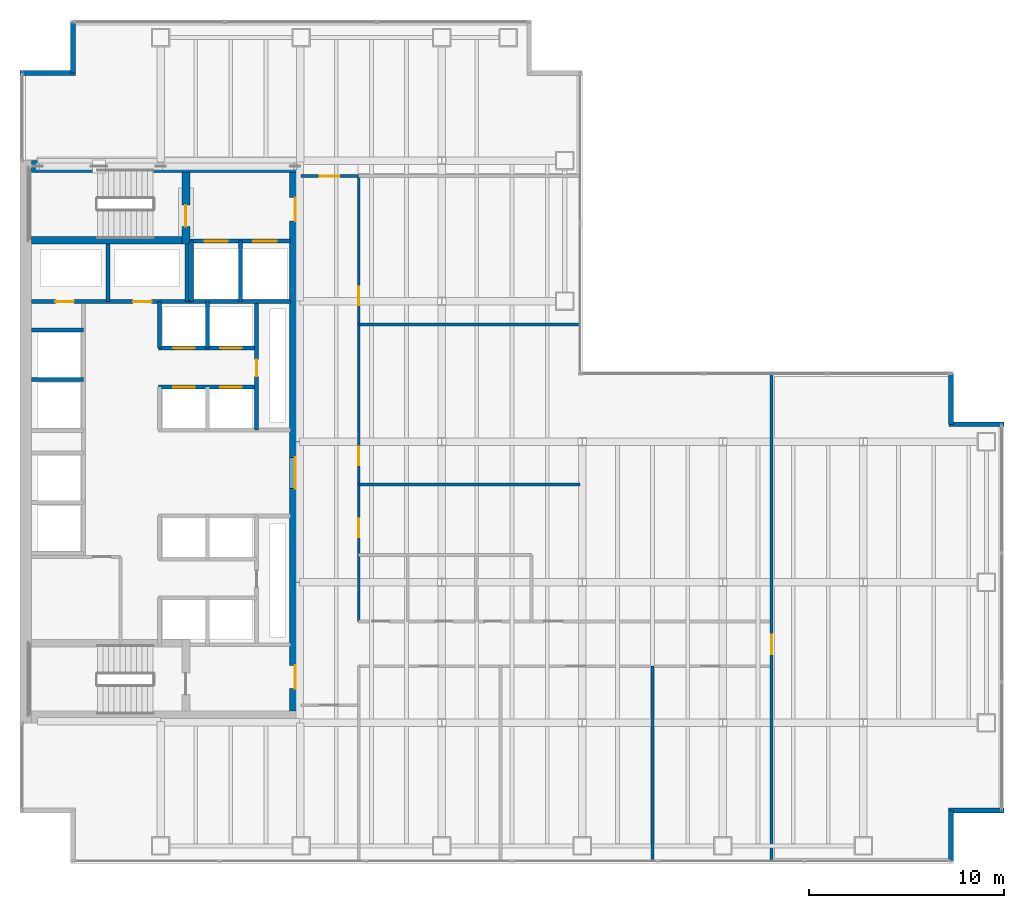
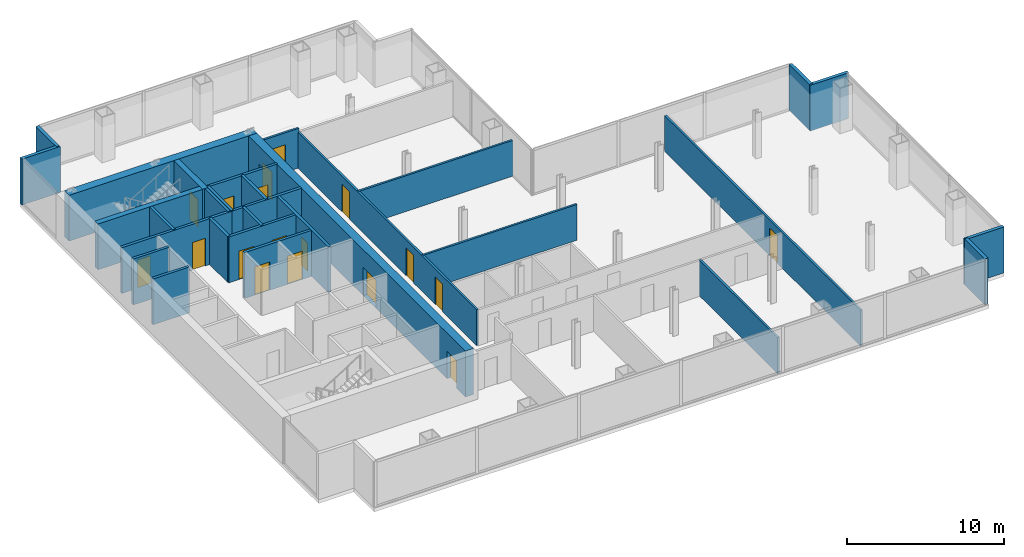
# One storey, part 21 of 24: 30 walls, 18 doors, 18 openings.
"""IFC4 building model written with IfcOpenShell, lengths in metres."""

from ifc_helpers import new_model, si_unit, direction, frame, frame_2d, origin, place, context, subcontext, project, spatial, rectangle, extrude, material, layer, layer_set, type_object, element, fill, save


model = new_model("IFC4")

# Units and contexts
model_context = context("Model", 3, precision=1e-05, world=origin(), true_north=direction((0.0, 1.0)))
body_context = subcontext(model_context, "Body", "Model", "MODEL_VIEW")
ifc_project = project(units=[si_unit("LENGTHUNIT", "METRE"), si_unit("AREAUNIT", "SQUARE_METRE"), si_unit("VOLUMEUNIT", "CUBIC_METRE"), si_unit("PLANEANGLEUNIT", "RADIAN"), si_unit("MASSUNIT", "GRAM", prefix="KILO")], contexts=[model_context])

# Site, building, storey
site_placement = place(None, origin())
site = spatial("IfcSite", under=ifc_project, at=site_placement, CompositionType="ELEMENT")
building_placement = place(site_placement, origin())
building = spatial("IfcBuilding", under=site, at=building_placement, Name="Cobrela Telecom Tower", CompositionType="ELEMENT")
storey_placement = place(building_placement, frame((0.0, 0.0, 85.050048828125)))
storey = spatial("IfcBuildingStorey", under=building, at=storey_placement, Name="L21", CompositionType="ELEMENT", Elevation=85.050048828125)

# Wall
ifc_material_1 = material(Name="Concrete C50/60", Category="concrete")
ifc_layer_1 = layer(ifc_material_1, 0.60009765625)
ifc_layer_set_1 = layer_set([ifc_layer_1], Name="Concrete C50/60")
wall_type_1 = type_object("IfcWallType", Name="WALL-CORE-C50-600", PredefinedType="SHEAR", material=ifc_layer_set_1)
wall_1_placement = place(storey_placement, frame((0.60009765625, 35.699951171875, 0.0), z_axis=(0.0, 0.0, 1.0), x_axis=(1.0, 0.0, 0.0)))
element("IfcWall", 1, at=wall_1_placement, inside=storey, type_object=wall_type_1, Name="L21 North Core Shear Wall", PredefinedType="SHEAR", context=body_context, shape_type="SweptSolid", body=[
    extrude(rectangle(XDim=13.7998046875, YDim=0.60009765625, at=frame_2d((6.89990234375, 0.0))), origin(), (0.0, 0.0, 1.0), 3.570068359375),
])

# Wall, openings, doors
wall_2_placement = place(storey_placement, frame((14.10009765625, 35.39990234375, 0.0), z_axis=(0.0, 0.0, 1.0), x_axis=(0.0, -1.0, 0.0)))
wall_2 = element("IfcWall", 2, at=wall_2_placement, inside=storey, type_object=wall_type_1, Name="L21 East Core Shear Wall", PredefinedType="SHEAR", context=body_context, shape_type="SweptSolid", body=[
    extrude(rectangle(XDim=27.599853515625, YDim=0.60009765625, at=frame_2d((13.7998046875, 0.0))), origin(), (0.0, 0.0, 1.0), 3.570068359375),
])
opening_1_placement = place(wall_2_placement, frame((1.300048828125, 0.0, 0.0)))
opening_1 = element("IfcOpeningElement", 3, at=opening_1_placement, cuts=wall_2, Name="Opening DR-19", PredefinedType="OPENING", context=body_context, shape_type="SweptSolid", body=[
    extrude(rectangle(XDim=1.199951171875, YDim=2.14990234375, at=frame_2d((0.60009765625, 1.074951171875))), frame((0.0, 0.31201171875, 0.0), z_axis=(0.0, -1.0, 0.0), x_axis=(1.0, 0.0, 0.0)), (0.0, 0.0, 1.0), 0.6240234375),
])
opening_2_placement = place(wall_2_placement, frame((25.25, 0.0, 0.0)))
opening_2 = element("IfcOpeningElement", 4, at=opening_2_placement, cuts=wall_2, Name="Opening DR-19", PredefinedType="OPENING", context=body_context, shape_type="SweptSolid", body=[
    extrude(rectangle(XDim=1.199951171875, YDim=2.14990234375, at=frame_2d((0.60009765625, 1.074951171875))), frame((0.0, 0.31201171875, 0.0), z_axis=(0.0, -1.0, 0.0), x_axis=(1.0, 0.0, 0.0)), (0.0, 0.0, 1.0), 0.6240234375),
])
opening_3_placement = place(wall_2_placement, frame((14.60009765625, 0.0, 0.0)))
opening_3 = element("IfcOpeningElement", 5, at=opening_3_placement, cuts=wall_2, Name="Opening DR-51", PredefinedType="OPENING", context=body_context, shape_type="SweptSolid", body=[
    extrude(rectangle(XDim=1.60009765625, YDim=2.199951171875, at=frame_2d((0.800048828125, 1.10009765625))), frame((0.0, 0.31201171875, 0.0), z_axis=(0.0, -1.0, 0.0), x_axis=(1.0, 0.0, 0.0)), (0.0, 0.0, 1.0), 0.6240234375),
])
ifc_material_2 = material(Name="Steel ASTM A36", Category="steel")
door_type_1 = type_object("IfcDoorType", Name="DOOR-FD60-1200", OperationType="SINGLE_SWING_LEFT", PredefinedType="DOOR", material=ifc_material_2)
door_1_placement = place(opening_1_placement, origin())
door_1 = element("IfcDoor", 6, at=door_1_placement, inside=storey, type_object=door_type_1, Name="L21 Door DR-19", OperationType="SINGLE_SWING_LEFT", OverallHeight=2.14990234375, OverallWidth=1.199951171875, PredefinedType="DOOR", context=body_context, shape_type="SweptSolid", body=[
    extrude(rectangle(XDim=1.199951171875, YDim=2.14990234375, at=frame_2d((0.60009765625, 1.074951171875))), frame((0.0, 0.02490234375, 0.0), z_axis=(0.0, -1.0, 0.0), x_axis=(1.0, 0.0, 0.0)), (0.0, 0.0, 1.0), 0.050048828125),
])
fill(opening_1, door_1)
door_2_placement = place(opening_2_placement, origin())
door_2 = element("IfcDoor", 7, at=door_2_placement, inside=storey, type_object=door_type_1, Name="L21 Door DR-19", OperationType="SINGLE_SWING_RIGHT", OverallHeight=2.14990234375, OverallWidth=1.199951171875, PredefinedType="DOOR", context=body_context, shape_type="SweptSolid", body=[
    extrude(rectangle(XDim=1.199951171875, YDim=2.14990234375, at=frame_2d((0.60009765625, 1.074951171875))), frame((0.0, 0.02490234375, 0.0), z_axis=(0.0, -1.0, 0.0), x_axis=(1.0, 0.0, 0.0)), (0.0, 0.0, 1.0), 0.050048828125),
])
fill(opening_2, door_2)
door_type_2 = type_object("IfcDoorType", Name="DOOR-FD60-1600", OperationType="SINGLE_SWING_LEFT", PredefinedType="DOOR", material=ifc_material_2)
door_3_placement = place(opening_3_placement, origin())
door_3 = element("IfcDoor", 8, at=door_3_placement, inside=storey, type_object=door_type_2, Name="L21 Door DR-51", OperationType="DOUBLE_DOOR_SINGLE_SWING", OverallHeight=2.199951171875, OverallWidth=1.60009765625, PredefinedType="DOOR", context=body_context, shape_type="SweptSolid", body=[
    extrude(rectangle(XDim=1.60009765625, YDim=2.199951171875, at=frame_2d((0.800048828125, 1.10009765625))), frame((0.0, 0.02490234375, 0.0), z_axis=(0.0, -1.0, 0.0), x_axis=(1.0, 0.0, 0.0)), (0.0, 0.0, 1.0), 0.050048828125),
])
fill(opening_3, door_3)

# Walls
ifc_material_3 = material(Name="Concrete C40/50", Category="concrete")
ifc_layer_2 = layer(ifc_material_3, 0.239990234375)
ifc_layer_set_2 = layer_set([ifc_layer_2], Name="Concrete C40/50")
wall_type_2 = type_object("IfcWallType", Name="WALL-EXT-300", PredefinedType="STANDARD", material=ifc_layer_set_2)
wall_3_placement = place(storey_placement, frame((0.0, 40.489990234375, 0.0), z_axis=(0.0, 0.0, 1.0), x_axis=(1.0, 0.0, 0.0)))
element("IfcWall", 9, at=wall_3_placement, inside=storey, type_object=wall_type_2, Name="L21 Insulated Facade Wall 05", PredefinedType="STANDARD", context=body_context, shape_type="SweptSolid", body=[
    extrude(rectangle(XDim=2.830078125, YDim=0.239990234375, at=frame_2d((1.4150390625, 0.0))), origin(), (0.0, 0.0, 1.0), 3.570068359375),
])
for number, where, z_axis, x_axis, name in (
    (10, (2.7099609375, 40.489990234375, 0.0), (0.0, 0.0, 1.0), (0.0, 1.0, 0.0), "L21 Insulated Facade Wall 06"),
    (11, (47.68994140625, 25.080078125, 0.0), (0.0, 0.0, 1.0), (0.0, -1.0, 0.0), "L21 Insulated Facade Wall 12"),
):
    element("IfcWall", number, at=place(storey_placement, frame(where, z_axis=z_axis, x_axis=x_axis)), inside=storey, type_object=wall_type_2, Name=name, PredefinedType="STANDARD", context=body_context, shape_type="SweptSolid", body=[
        extrude(rectangle(XDim=2.590087890625, YDim=0.239990234375, at=frame_2d((1.294921875, 0.0))), origin(), (0.0, 0.0, 1.0), 3.570068359375),
    ])
for number, where, z_axis, x_axis, name in (
    (12, (47.570068359375, 22.489990234375, 0.0), (0.0, 0.0, 1.0), (1.0, 0.0, 0.0), "L21 Insulated Facade Wall 13"),
    (13, (50.39990234375, 2.7099609375, 0.0), (0.0, 0.0, 1.0), (-1.0, 0.0, 0.0), "L21 Insulated Facade Wall 15"),
):
    element("IfcWall", number, at=place(storey_placement, frame(where, z_axis=z_axis, x_axis=x_axis)), inside=storey, type_object=wall_type_2, Name=name, PredefinedType="STANDARD", context=body_context, shape_type="SweptSolid", body=[
        extrude(rectangle(XDim=2.829833984375, YDim=0.239990234375, at=frame_2d((1.4150390625, 0.0))), origin(), (0.0, 0.0, 1.0), 3.570068359375),
    ])
wall_4_placement = place(storey_placement, frame((47.68994140625, 2.7099609375, 0.0), z_axis=(0.0, 0.0, 1.0), x_axis=(0.0, -1.0, 0.0)))
element("IfcWall", 14, at=wall_4_placement, inside=storey, type_object=wall_type_2, Name="L21 Insulated Facade Wall 16", PredefinedType="STANDARD", context=body_context, shape_type="SweptSolid", body=[
    extrude(rectangle(XDim=2.58984375, YDim=0.239990234375, at=frame_2d((1.294921875, 0.0))), origin(), (0.0, 0.0, 1.0), 3.570068359375),
])

# Wall, opening, door
ifc_material_4 = material(Name="Fire-Rated Gypsum Plasterboard")
ifc_layer_3 = layer(ifc_material_4, 0.14990234375)
ifc_layer_set_3 = layer_set([ifc_layer_3], Name="Fire-Rated Gypsum Plasterboard")
wall_type_3 = type_object("IfcWallType", Name="WALL-PART-150", PredefinedType="PARTITIONING", material=ifc_layer_set_3)
wall_5_placement = place(storey_placement, frame((14.39990234375, 35.199951171875, 0.0), z_axis=(0.0, 0.0, 1.0), x_axis=(1.0, 0.0, 0.0)))
wall_5 = element("IfcWall", 15, at=wall_5_placement, inside=storey, type_object=wall_type_3, Name="L21 Interior Partition W-C-N0", PredefinedType="PARTITIONING", context=body_context, shape_type="SweptSolid", body=[
    extrude(rectangle(XDim=2.9501953125, YDim=0.14990234375, at=frame_2d((1.47509765625, 0.0))), origin(), (0.0, 0.0, 1.0), 3.087890625),
])
opening_4_placement = place(wall_5_placement, frame((0.949951171875, 0.0, 0.0)))
opening_4 = element("IfcOpeningElement", 16, at=opening_4_placement, cuts=wall_5, Name="Opening DR-31", PredefinedType="OPENING", context=body_context, shape_type="SweptSolid", body=[
    extrude(rectangle(XDim=1.0, YDim=2.14990234375, at=frame_2d((0.5, 1.074951171875))), frame((0.0, 0.0869140625, 0.0), z_axis=(0.0, -1.0, 0.0), x_axis=(1.0, 0.0, 0.0)), (0.0, 0.0, 1.0), 0.173828125),
])
ifc_material_5 = material(Name="Solid Engineered Oak Timber", Category="wood")
door_type_3 = type_object("IfcDoorType", Name="DOOR-INT-1000", OperationType="SINGLE_SWING_LEFT", PredefinedType="DOOR", material=ifc_material_5)
door_4_placement = place(opening_4_placement, origin())
door_4 = element("IfcDoor", 17, at=door_4_placement, inside=storey, type_object=door_type_3, Name="L21 Door DR-31", OperationType="SINGLE_SWING_LEFT", OverallHeight=2.14990234375, OverallWidth=1.0, PredefinedType="DOOR", context=body_context, shape_type="SweptSolid", body=[
    extrude(rectangle(XDim=1.0, YDim=2.14990234375, at=frame_2d((0.5, 1.074951171875))), frame((0.0, 0.02490234375, 0.0), z_axis=(0.0, -1.0, 0.0), x_axis=(1.0, 0.0, 0.0)), (0.0, 0.0, 1.0), 0.050048828125),
])
fill(opening_4, door_4)

# Wall, openings, doors
wall_6_placement = place(storey_placement, frame((17.35009765625, 12.39990234375, 0.0), z_axis=(0.0, 0.0, 1.0), x_axis=(0.0, 1.0, 0.0)))
wall_6 = element("IfcWall", 18, at=wall_6_placement, inside=storey, type_object=wall_type_3, Name="L21 Interior Partition W-C-E2", PredefinedType="PARTITIONING", context=body_context, shape_type="SweptSolid", body=[
    extrude(rectangle(XDim=22.800048828125, YDim=0.14990234375, at=frame_2d((11.39990234375, 0.0))), origin(), (0.0, 0.0, 1.0), 2.782958984375),
])
opening_5_placement = place(wall_6_placement, frame((4.300048828125, 0.0, 0.0)))
opening_5 = element("IfcOpeningElement", 19, at=opening_5_placement, cuts=wall_6, Name="Opening DR-67", PredefinedType="OPENING", context=body_context, shape_type="SweptSolid", body=[
    extrude(rectangle(XDim=0.949951171875, YDim=2.14990234375, at=frame_2d((0.47509765625, 1.074951171875))), frame((0.0, 0.0869140625, 0.0), z_axis=(0.0, -1.0, 0.0), x_axis=(1.0, 0.0, 0.0)), (0.0, 0.0, 1.0), 0.173828125),
])
opening_6_placement = place(wall_6_placement, frame((8.0, 0.0, 0.0)))
opening_6 = element("IfcOpeningElement", 20, at=opening_6_placement, cuts=wall_6, Name="Opening DR-67", PredefinedType="OPENING", context=body_context, shape_type="SweptSolid", body=[
    extrude(rectangle(XDim=0.949951171875, YDim=2.14990234375, at=frame_2d((0.47509765625, 1.074951171875))), frame((0.0, 0.0869140625, 0.0), z_axis=(0.0, -1.0, 0.0), x_axis=(1.0, 0.0, 0.0)), (0.0, 0.0, 1.0), 0.173828125),
])
opening_7_placement = place(wall_6_placement, frame((16.199951171875, 0.0, 0.0)))
opening_7 = element("IfcOpeningElement", 21, at=opening_7_placement, cuts=wall_6, Name="Opening DR-67", PredefinedType="OPENING", context=body_context, shape_type="SweptSolid", body=[
    extrude(rectangle(XDim=0.949951171875, YDim=2.14990234375, at=frame_2d((0.47509765625, 1.074951171875))), frame((0.0, 0.0869140625, 0.0), z_axis=(0.0, -1.0, 0.0), x_axis=(1.0, 0.0, 0.0)), (0.0, 0.0, 1.0), 0.173828125),
])
door_type_4 = type_object("IfcDoorType", Name="DOOR-INT-950", OperationType="SINGLE_SWING_LEFT", PredefinedType="DOOR", material=ifc_material_5)
door_5_placement = place(opening_5_placement, origin())
door_5 = element("IfcDoor", 22, at=door_5_placement, inside=storey, type_object=door_type_4, Name="L21 Door DR-67", OperationType="SINGLE_SWING_RIGHT", OverallHeight=2.14990234375, OverallWidth=0.949951171875, PredefinedType="DOOR", context=body_context, shape_type="SweptSolid", body=[
    extrude(rectangle(XDim=0.949951171875, YDim=2.14990234375, at=frame_2d((0.47509765625, 1.074951171875))), frame((0.0, 0.02490234375, 0.0), z_axis=(0.0, -1.0, 0.0), x_axis=(1.0, 0.0, 0.0)), (0.0, 0.0, 1.0), 0.050048828125),
])
fill(opening_5, door_5)
door_6_placement = place(opening_6_placement, origin())
door_6 = element("IfcDoor", 23, at=door_6_placement, inside=storey, type_object=door_type_4, Name="L21 Door DR-67", OperationType="SINGLE_SWING_LEFT", OverallHeight=2.14990234375, OverallWidth=0.949951171875, PredefinedType="DOOR", context=body_context, shape_type="SweptSolid", body=[
    extrude(rectangle(XDim=0.949951171875, YDim=2.14990234375, at=frame_2d((0.47509765625, 1.074951171875))), frame((0.0, 0.02490234375, 0.0), z_axis=(0.0, -1.0, 0.0), x_axis=(1.0, 0.0, 0.0)), (0.0, 0.0, 1.0), 0.050048828125),
])
fill(opening_6, door_6)
door_7_placement = place(opening_7_placement, origin())
door_7 = element("IfcDoor", 24, at=door_7_placement, inside=storey, type_object=door_type_4, Name="L21 Door DR-67", OperationType="SINGLE_SWING_RIGHT", OverallHeight=2.14990234375, OverallWidth=0.949951171875, PredefinedType="DOOR", context=body_context, shape_type="SweptSolid", body=[
    extrude(rectangle(XDim=0.949951171875, YDim=2.14990234375, at=frame_2d((0.47509765625, 1.074951171875))), frame((0.0, 0.02490234375, 0.0), z_axis=(0.0, -1.0, 0.0), x_axis=(1.0, 0.0, 0.0)), (0.0, 0.0, 1.0), 0.050048828125),
])
fill(opening_7, door_7)

# Wall, opening, door
wall_7_placement = place(storey_placement, frame((38.5, 0.1201171875, 0.0), z_axis=(0.0, 0.0, 1.0), x_axis=(0.0, 1.0, 0.0)))
wall_7 = element("IfcWall", 25, at=wall_7_placement, inside=storey, type_object=wall_type_3, Name="L21 Interior Partition W-C-END", PredefinedType="PARTITIONING", context=body_context, shape_type="SweptSolid", body=[
    extrude(rectangle(XDim=24.9599609375, YDim=0.14990234375, at=frame_2d((12.47998046875, 0.0))), origin(), (0.0, 0.0, 1.0), 2.782958984375),
])
opening_8_placement = place(wall_7_placement, frame((10.60009765625, 0.0, 0.0)))
opening_8 = element("IfcOpeningElement", 26, at=opening_8_placement, cuts=wall_7, Name="Opening DR-31", PredefinedType="OPENING", context=body_context, shape_type="SweptSolid", body=[
    extrude(rectangle(XDim=1.0, YDim=2.14990234375, at=frame_2d((0.5, 1.074951171875))), frame((0.0, 0.0869140625, 0.0), z_axis=(0.0, -1.0, 0.0), x_axis=(1.0, 0.0, 0.0)), (0.0, 0.0, 1.0), 0.173828125),
])
door_8_placement = place(opening_8_placement, origin())
door_8 = element("IfcDoor", 27, at=door_8_placement, inside=storey, type_object=door_type_3, Name="L21 Door DR-31", OperationType="SINGLE_SWING_LEFT", OverallHeight=2.14990234375, OverallWidth=1.0, PredefinedType="DOOR", context=body_context, shape_type="SweptSolid", body=[
    extrude(rectangle(XDim=1.0, YDim=2.14990234375, at=frame_2d((0.5, 1.074951171875))), frame((0.0, 0.02490234375, 0.0), z_axis=(0.0, -1.0, 0.0), x_axis=(1.0, 0.0, 0.0)), (0.0, 0.0, 1.0), 0.050048828125),
])
fill(opening_8, door_8)

# Walls
for number, where, z_axis, x_axis, name in (
    (28, (17.35009765625, 19.39990234375, 0.0), (0.0, 0.0, 1.0), (1.0, 0.0, 0.0), "L21 Interior Partition W-NPAN-T"),
    (29, (17.35009765625, 27.60009765625, 0.0), (0.0, 0.0, 1.0), (1.0, 0.0, 0.0), "L21 Interior Partition W-NT-M"),
):
    element("IfcWall", number, at=place(storey_placement, frame(where, z_axis=z_axis, x_axis=x_axis)), inside=storey, type_object=wall_type_3, Name=name, PredefinedType="PARTITIONING", context=body_context, shape_type="SweptSolid", body=[
        extrude(rectangle(XDim=11.329833984375, YDim=0.14990234375, at=frame_2d((5.6650390625, 0.0))), origin(), (0.0, 0.0, 1.0), 2.782958984375),
    ])
wall_8_placement = place(storey_placement, frame((32.39990234375, 0.1201171875, 0.0), z_axis=(0.0, 0.0, 1.0), x_axis=(0.0, 1.0, 0.0)))
element("IfcWall", 30, at=wall_8_placement, inside=storey, type_object=wall_type_3, Name="L21 Interior Partition W-SV-2", PredefinedType="PARTITIONING", context=body_context, shape_type="SweptSolid", body=[
    extrude(rectangle(XDim=9.97998046875, YDim=0.14990234375, at=frame_2d((4.989990234375, 0.0))), origin(), (0.0, 0.0, 1.0), 2.782958984375),
])

# Wall, openings, doors
ifc_layer_4 = layer(ifc_material_4, 0.199951171875)
ifc_layer_set_4 = layer_set([ifc_layer_4], Name="Fire-Rated Gypsum Plasterboard")
wall_type_4 = type_object("IfcWallType", Name="WALL-SHAFT-200", PredefinedType="PARTITIONING", material=ifc_layer_set_4)
wall_9_placement = place(storey_placement, frame((8.699951171875, 31.8798828125, 0.0), z_axis=(0.0, 0.0, 1.0), x_axis=(1.0, 0.0, 0.0)))
wall_9 = element("IfcWall", 31, at=wall_9_placement, inside=storey, type_object=wall_type_4, Name="L21 Shaft Enclosure CW-FFL-S", PredefinedType="PARTITIONING", context=body_context, shape_type="SweptSolid", body=[
    extrude(rectangle(XDim=5.150146484375, YDim=0.199951171875, at=frame_2d((2.5751953125, 0.0))), origin(), (0.0, 0.0, 1.0), 3.570068359375),
])
opening_9_placement = place(wall_9_placement, frame((0.75, 0.0, 0.0)))
opening_9 = element("IfcOpeningElement", 32, at=opening_9_placement, cuts=wall_9, Name="Opening LD-2", PredefinedType="OPENING", context=body_context, shape_type="SweptSolid", body=[
    extrude(rectangle(XDim=1.199951171875, YDim=2.199951171875, at=frame_2d((0.60009765625, 1.10009765625))), frame((0.0, 0.11181640625, 0.0), z_axis=(0.0, -1.0, 0.0), x_axis=(1.0, 0.0, 0.0)), (0.0, 0.0, 1.0), 0.223876953125),
])
opening_10_placement = place(wall_9_placement, frame((3.25, 0.0, 0.0)))
opening_10 = element("IfcOpeningElement", 33, at=opening_10_placement, cuts=wall_9, Name="Opening LD-2", PredefinedType="OPENING", context=body_context, shape_type="SweptSolid", body=[
    extrude(rectangle(XDim=1.199951171875, YDim=2.199951171875, at=frame_2d((0.60009765625, 1.10009765625))), frame((0.0, 0.11181640625, 0.0), z_axis=(0.0, -1.0, 0.0), x_axis=(1.0, 0.0, 0.0)), (0.0, 0.0, 1.0), 0.223876953125),
])
door_type_5 = type_object("IfcDoorType", Name="DOOR-LD-FFL", OperationType="SINGLE_SWING_LEFT", PredefinedType="DOOR", material=ifc_material_2)
door_9_placement = place(opening_9_placement, origin())
door_9 = element("IfcDoor", 34, at=door_9_placement, inside=storey, type_object=door_type_5, Name="L21 Lift Landing Door LD-2", OperationType="DOUBLE_DOOR_SLIDING", OverallHeight=2.199951171875, OverallWidth=1.199951171875, PredefinedType="DOOR", context=body_context, shape_type="SweptSolid", body=[
    extrude(rectangle(XDim=1.199951171875, YDim=2.199951171875, at=frame_2d((0.60009765625, 1.10009765625))), frame((0.0, 0.02490234375, 0.0), z_axis=(0.0, -1.0, 0.0), x_axis=(1.0, 0.0, 0.0)), (0.0, 0.0, 1.0), 0.050048828125),
])
fill(opening_9, door_9)
door_10_placement = place(opening_10_placement, origin())
door_10 = element("IfcDoor", 35, at=door_10_placement, inside=storey, type_object=door_type_5, Name="L21 Lift Landing Door LD-2", OperationType="DOUBLE_DOOR_SLIDING", OverallHeight=2.199951171875, OverallWidth=1.199951171875, PredefinedType="DOOR", context=body_context, shape_type="SweptSolid", body=[
    extrude(rectangle(XDim=1.199951171875, YDim=2.199951171875, at=frame_2d((0.60009765625, 1.10009765625))), frame((0.0, 0.02490234375, 0.0), z_axis=(0.0, -1.0, 0.0), x_axis=(1.0, 0.0, 0.0)), (0.0, 0.0, 1.0), 0.050048828125),
])
fill(opening_10, door_10)

# Walls
wall_10_placement = place(storey_placement, frame((8.699951171875, 28.780029296875, 0.0), z_axis=(0.0, 0.0, 1.0), x_axis=(1.0, 0.0, 0.0)))
element("IfcWall", 36, at=wall_10_placement, inside=storey, type_object=wall_type_4, Name="L21 Shaft Enclosure CW-FFL-S2", PredefinedType="PARTITIONING", context=body_context, shape_type="SweptSolid", body=[
    extrude(rectangle(XDim=5.150146484375, YDim=0.199951171875, at=frame_2d((2.5751953125, 0.0))), origin(), (0.0, 0.0, 1.0), 3.570068359375),
])
for number, where, z_axis, x_axis, name in (
    (37, (8.780029296875, 28.780029296875, 0.0), (0.0, 0.0, 1.0), (0.0, 1.0, 0.0), "L21 Shaft Enclosure CW-FFL-W"),
    (38, (11.300048828125, 28.780029296875, 0.0), (0.0, 0.0, 1.0), (0.0, 1.0, 0.0), "L21 Shaft Enclosure CW-FFL-M"),
):
    element("IfcWall", number, at=place(storey_placement, frame(where, z_axis=z_axis, x_axis=x_axis)), inside=storey, type_object=wall_type_4, Name=name, PredefinedType="PARTITIONING", context=body_context, shape_type="SweptSolid", body=[
        extrude(rectangle(XDim=3.099853515625, YDim=0.199951171875, at=frame_2d((1.5498046875, 0.0))), origin(), (0.0, 0.0, 1.0), 3.570068359375),
    ])

# Wall, openings, doors
wall_11_placement = place(storey_placement, frame((0.60009765625, 28.780029296875, 0.0), z_axis=(0.0, 0.0, 1.0), x_axis=(1.0, 0.0, 0.0)))
wall_11 = element("IfcWall", 39, at=wall_11_placement, inside=storey, type_object=wall_type_4, Name="L21 Shaft Enclosure CW-RIS-S", PredefinedType="PARTITIONING", context=body_context, shape_type="SweptSolid", body=[
    extrude(rectangle(XDim=8.179931640625, YDim=0.199951171875, at=frame_2d((4.08984375, 0.0))), origin(), (0.0, 0.0, 1.0), 3.570068359375),
])
opening_11_placement = place(wall_11_placement, frame((1.2099609375, 0.0, 0.0)))
opening_11 = element("IfcOpeningElement", 40, at=opening_11_placement, cuts=wall_11, Name="Opening DR-65", PredefinedType="OPENING", context=body_context, shape_type="SweptSolid", body=[
    extrude(rectangle(XDim=0.949951171875, YDim=2.14990234375, at=frame_2d((0.47509765625, 1.074951171875))), frame((0.0, 0.11181640625, 0.0), z_axis=(0.0, -1.0, 0.0), x_axis=(1.0, 0.0, 0.0)), (0.0, 0.0, 1.0), 0.223876953125),
])
opening_12_placement = place(wall_11_placement, frame((5.18994140625, 0.0, 0.0)))
opening_12 = element("IfcOpeningElement", 41, at=opening_12_placement, cuts=wall_11, Name="Opening DR-65", PredefinedType="OPENING", context=body_context, shape_type="SweptSolid", body=[
    extrude(rectangle(XDim=0.949951171875, YDim=2.14990234375, at=frame_2d((0.47509765625, 1.074951171875))), frame((0.0, 0.11181640625, 0.0), z_axis=(0.0, -1.0, 0.0), x_axis=(1.0, 0.0, 0.0)), (0.0, 0.0, 1.0), 0.223876953125),
])
door_type_6 = type_object("IfcDoorType", Name="DOOR-FD60-950", OperationType="SINGLE_SWING_LEFT", PredefinedType="DOOR", material=ifc_material_2)
door_11_placement = place(opening_11_placement, origin())
door_11 = element("IfcDoor", 42, at=door_11_placement, inside=storey, type_object=door_type_6, Name="L21 Door DR-65", OperationType="SINGLE_SWING_LEFT", OverallHeight=2.14990234375, OverallWidth=0.949951171875, PredefinedType="DOOR", context=body_context, shape_type="SweptSolid", body=[
    extrude(rectangle(XDim=0.949951171875, YDim=2.14990234375, at=frame_2d((0.47509765625, 1.074951171875))), frame((0.0, 0.02490234375, 0.0), z_axis=(0.0, -1.0, 0.0), x_axis=(1.0, 0.0, 0.0)), (0.0, 0.0, 1.0), 0.050048828125),
])
fill(opening_11, door_11)
door_12_placement = place(opening_12_placement, origin())
door_12 = element("IfcDoor", 43, at=door_12_placement, inside=storey, type_object=door_type_6, Name="L21 Door DR-65", OperationType="SINGLE_SWING_RIGHT", OverallHeight=2.14990234375, OverallWidth=0.949951171875, PredefinedType="DOOR", context=body_context, shape_type="SweptSolid", body=[
    extrude(rectangle(XDim=0.949951171875, YDim=2.14990234375, at=frame_2d((0.47509765625, 1.074951171875))), frame((0.0, 0.02490234375, 0.0), z_axis=(0.0, -1.0, 0.0), x_axis=(1.0, 0.0, 0.0)), (0.0, 0.0, 1.0), 0.050048828125),
])
fill(opening_12, door_12)

# Walls
for number, where, z_axis, x_axis, name in (
    (44, (4.5, 28.780029296875, 0.0), (0.0, 0.0, 1.0), (0.0, 1.0, 0.0), "L21 Shaft Enclosure CW-RIS-M"),
    (45, (8.550048828125, 28.780029296875, 0.0), (0.0, 0.0, 1.0), (0.0, 1.0, 0.0), "L21 Shaft Enclosure CW-RIS-E"),
):
    element("IfcWall", number, at=place(storey_placement, frame(where, z_axis=z_axis, x_axis=x_axis)), inside=storey, type_object=wall_type_4, Name=name, PredefinedType="PARTITIONING", context=body_context, shape_type="SweptSolid", body=[
        extrude(rectangle(XDim=2.93994140625, YDim=0.199951171875, at=frame_2d((1.469970703125, 0.0))), origin(), (0.0, 0.0, 1.0), 3.570068359375),
    ])
for number, where, z_axis, x_axis, name in (
    (46, (0.60009765625, 24.780029296875, 0.0), (0.0, 0.0, 1.0), (1.0, 0.0, 0.0), "L21 Shaft Enclosure CW-PLH-D12"),
    (47, (0.60009765625, 27.320068359375, 0.0), (0.0, 0.0, 1.0), (1.0, 0.0, 0.0), "L21 Shaft Enclosure CW-PLH-TOP"),
):
    element("IfcWall", number, at=place(storey_placement, frame(where, z_axis=z_axis, x_axis=x_axis)), inside=storey, type_object=wall_type_4, Name=name, PredefinedType="PARTITIONING", context=body_context, shape_type="SweptSolid", body=[
        extrude(rectangle(XDim=2.64990234375, YDim=0.199951171875, at=frame_2d((1.324951171875, 0.0))), origin(), (0.0, 0.0, 1.0), 3.570068359375),
    ])

# Wall, openings, doors
wall_12_placement = place(storey_placement, frame((7.10009765625, 24.39990234375, 0.0), z_axis=(0.0, 0.0, 1.0), x_axis=(1.0, 0.0, 0.0)))
wall_12 = element("IfcWall", 48, at=wall_12_placement, inside=storey, type_object=wall_type_4, Name="L21 Shaft Enclosure CW-PLL-S", PredefinedType="PARTITIONING", context=body_context, shape_type="SweptSolid", body=[
    extrude(rectangle(XDim=5.02001953125, YDim=0.199951171875, at=frame_2d((2.510009765625, 0.0))), origin(), (0.0, 0.0, 1.0), 3.570068359375),
])
opening_13_placement = place(wall_12_placement, frame((0.75, 0.0, 0.0)))
opening_13 = element("IfcOpeningElement", 49, at=opening_13_placement, cuts=wall_12, Name="Opening LD-1", PredefinedType="OPENING", context=body_context, shape_type="SweptSolid", body=[
    extrude(rectangle(XDim=1.10009765625, YDim=2.199951171875, at=frame_2d((0.550048828125, 1.10009765625))), frame((0.0, 0.11181640625, 0.0), z_axis=(0.0, -1.0, 0.0), x_axis=(1.0, 0.0, 0.0)), (0.0, 0.0, 1.0), 0.223876953125),
])
opening_14_placement = place(wall_12_placement, frame((3.14990234375, 0.0, 0.0)))
opening_14 = element("IfcOpeningElement", 50, at=opening_14_placement, cuts=wall_12, Name="Opening LD-1", PredefinedType="OPENING", context=body_context, shape_type="SweptSolid", body=[
    extrude(rectangle(XDim=1.10009765625, YDim=2.199951171875, at=frame_2d((0.550048828125, 1.10009765625))), frame((0.0, 0.11181640625, 0.0), z_axis=(0.0, -1.0, 0.0), x_axis=(1.0, 0.0, 0.0)), (0.0, 0.0, 1.0), 0.223876953125),
])
door_type_7 = type_object("IfcDoorType", Name="DOOR-LD-PL", OperationType="SINGLE_SWING_LEFT", PredefinedType="DOOR", material=ifc_material_2)
door_13_placement = place(opening_13_placement, origin())
door_13 = element("IfcDoor", 51, at=door_13_placement, inside=storey, type_object=door_type_7, Name="L21 Lift Landing Door LD-1", OperationType="DOUBLE_DOOR_SLIDING", OverallHeight=2.199951171875, OverallWidth=1.10009765625, PredefinedType="DOOR", context=body_context, shape_type="SweptSolid", body=[
    extrude(rectangle(XDim=1.10009765625, YDim=2.199951171875, at=frame_2d((0.550048828125, 1.10009765625))), frame((0.0, 0.02490234375, 0.0), z_axis=(0.0, -1.0, 0.0), x_axis=(1.0, 0.0, 0.0)), (0.0, 0.0, 1.0), 0.050048828125),
])
fill(opening_13, door_13)
door_14_placement = place(opening_14_placement, origin())
door_14 = element("IfcDoor", 52, at=door_14_placement, inside=storey, type_object=door_type_7, Name="L21 Lift Landing Door LD-1", OperationType="DOUBLE_DOOR_SLIDING", OverallHeight=2.199951171875, OverallWidth=1.10009765625, PredefinedType="DOOR", context=body_context, shape_type="SweptSolid", body=[
    extrude(rectangle(XDim=1.10009765625, YDim=2.199951171875, at=frame_2d((0.550048828125, 1.10009765625))), frame((0.0, 0.02490234375, 0.0), z_axis=(0.0, -1.0, 0.0), x_axis=(1.0, 0.0, 0.0)), (0.0, 0.0, 1.0), 0.050048828125),
])
fill(opening_14, door_14)

wall_13_placement = place(storey_placement, frame((7.10009765625, 26.39990234375, 0.0), z_axis=(0.0, 0.0, 1.0), x_axis=(1.0, 0.0, 0.0)))
wall_13 = element("IfcWall", 53, at=wall_13_placement, inside=storey, type_object=wall_type_4, Name="L21 Shaft Enclosure CW-PLL-N", PredefinedType="PARTITIONING", context=body_context, shape_type="SweptSolid", body=[
    extrude(rectangle(XDim=5.02001953125, YDim=0.199951171875, at=frame_2d((2.510009765625, 0.0))), origin(), (0.0, 0.0, 1.0), 3.570068359375),
])
opening_15_placement = place(wall_13_placement, frame((0.75, 0.0, 0.0)))
opening_15 = element("IfcOpeningElement", 54, at=opening_15_placement, cuts=wall_13, Name="Opening LD-1", PredefinedType="OPENING", context=body_context, shape_type="SweptSolid", body=[
    extrude(rectangle(XDim=1.10009765625, YDim=2.199951171875, at=frame_2d((0.550048828125, 1.10009765625))), frame((0.0, 0.11181640625, 0.0), z_axis=(0.0, -1.0, 0.0), x_axis=(1.0, 0.0, 0.0)), (0.0, 0.0, 1.0), 0.223876953125),
])
opening_16_placement = place(wall_13_placement, frame((3.14990234375, 0.0, 0.0)))
opening_16 = element("IfcOpeningElement", 55, at=opening_16_placement, cuts=wall_13, Name="Opening LD-1", PredefinedType="OPENING", context=body_context, shape_type="SweptSolid", body=[
    extrude(rectangle(XDim=1.10009765625, YDim=2.199951171875, at=frame_2d((0.550048828125, 1.10009765625))), frame((0.0, 0.11181640625, 0.0), z_axis=(0.0, -1.0, 0.0), x_axis=(1.0, 0.0, 0.0)), (0.0, 0.0, 1.0), 0.223876953125),
])
door_15_placement = place(opening_15_placement, origin())
door_15 = element("IfcDoor", 56, at=door_15_placement, inside=storey, type_object=door_type_7, Name="L21 Lift Landing Door LD-1", OperationType="DOUBLE_DOOR_SLIDING", OverallHeight=2.199951171875, OverallWidth=1.10009765625, PredefinedType="DOOR", context=body_context, shape_type="SweptSolid", body=[
    extrude(rectangle(XDim=1.10009765625, YDim=2.199951171875, at=frame_2d((0.550048828125, 1.10009765625))), frame((0.0, 0.02490234375, 0.0), z_axis=(0.0, -1.0, 0.0), x_axis=(1.0, 0.0, 0.0)), (0.0, 0.0, 1.0), 0.050048828125),
])
fill(opening_15, door_15)
door_16_placement = place(opening_16_placement, origin())
door_16 = element("IfcDoor", 57, at=door_16_placement, inside=storey, type_object=door_type_7, Name="L21 Lift Landing Door LD-1", OperationType="DOUBLE_DOOR_SLIDING", OverallHeight=2.199951171875, OverallWidth=1.10009765625, PredefinedType="DOOR", context=body_context, shape_type="SweptSolid", body=[
    extrude(rectangle(XDim=1.10009765625, YDim=2.199951171875, at=frame_2d((0.550048828125, 1.10009765625))), frame((0.0, 0.02490234375, 0.0), z_axis=(0.0, -1.0, 0.0), x_axis=(1.0, 0.0, 0.0)), (0.0, 0.0, 1.0), 0.050048828125),
])
fill(opening_16, door_16)

# Walls
for number, where, z_axis, x_axis, name in (
    (58, (7.14990234375, 26.39990234375, 0.0), (0.0, 0.0, 1.0), (0.0, 1.0, 0.0), "L21 Shaft Enclosure CW-PLL-V1B"),
    (59, (9.60009765625, 26.39990234375, 0.0), (0.0, 0.0, 1.0), (0.0, 1.0, 0.0), "L21 Shaft Enclosure CW-PLL-V2B"),
):
    element("IfcWall", number, at=place(storey_placement, frame(where, z_axis=z_axis, x_axis=x_axis)), inside=storey, type_object=wall_type_4, Name=name, PredefinedType="PARTITIONING", context=body_context, shape_type="SweptSolid", body=[
        extrude(rectangle(XDim=2.380126953125, YDim=0.199951171875, at=frame_2d((1.18994140625, 0.0))), origin(), (0.0, 0.0, 1.0), 3.570068359375),
    ])

# Wall, opening, door
wall_14_placement = place(storey_placement, frame((12.1201171875, 22.199951171875, 0.0), z_axis=(0.0, 0.0, 1.0), x_axis=(0.0, 1.0, 0.0)))
wall_14 = element("IfcWall", 60, at=wall_14_placement, inside=storey, type_object=wall_type_4, Name="L21 Shaft Enclosure CW-PLL-V3", PredefinedType="PARTITIONING", context=body_context, shape_type="SweptSolid", body=[
    extrude(rectangle(XDim=6.580078125, YDim=0.199951171875, at=frame_2d((3.2900390625, 0.0))), origin(), (0.0, 0.0, 1.0), 3.570068359375),
])
opening_17_placement = place(wall_14_placement, frame((2.75, 0.0, 0.0)))
opening_17 = element("IfcOpeningElement", 61, at=opening_17_placement, cuts=wall_14, Name="Opening DR-11", PredefinedType="OPENING", context=body_context, shape_type="SweptSolid", body=[
    extrude(rectangle(XDim=0.85009765625, YDim=2.14990234375, at=frame_2d((0.425048828125, 1.074951171875))), frame((0.0, 0.11181640625, 0.0), z_axis=(0.0, -1.0, 0.0), x_axis=(1.0, 0.0, 0.0)), (0.0, 0.0, 1.0), 0.223876953125),
])
door_type_8 = type_object("IfcDoorType", Name="DOOR-INT-850", OperationType="SINGLE_SWING_LEFT", PredefinedType="DOOR", material=ifc_material_5)
door_17_placement = place(opening_17_placement, origin())
door_17 = element("IfcDoor", 62, at=door_17_placement, inside=storey, type_object=door_type_8, Name="L21 Door DR-11", OperationType="SINGLE_SWING_LEFT", OverallHeight=2.14990234375, OverallWidth=0.85009765625, PredefinedType="DOOR", context=body_context, shape_type="SweptSolid", body=[
    extrude(rectangle(XDim=0.85009765625, YDim=2.14990234375, at=frame_2d((0.425048828125, 1.074951171875))), frame((0.0, 0.02490234375, 0.0), z_axis=(0.0, -1.0, 0.0), x_axis=(1.0, 0.0, 0.0)), (0.0, 0.0, 1.0), 0.050048828125),
])
fill(opening_17, door_17)

# Wall
ifc_layer_5 = layer(ifc_material_3, 0.39990234375)
ifc_layer_set_5 = layer_set([ifc_layer_5], Name="Concrete C40/50")
wall_type_5 = type_object("IfcWallType", Name="WALL-SHAFT-C40-400", PredefinedType="SHEAR", material=ifc_layer_set_5)
wall_15_placement = place(storey_placement, frame((0.60009765625, 31.919921875, 0.0), z_axis=(0.0, 0.0, 1.0), x_axis=(1.0, 0.0, 0.0)))
element("IfcWall", 63, at=wall_15_placement, inside=storey, type_object=wall_type_5, Name="L21 North Stair Shear Wall", PredefinedType="SHEAR", context=body_context, shape_type="SweptSolid", body=[
    extrude(rectangle(XDim=7.699951171875, YDim=0.39990234375, at=frame_2d((3.85009765625, 0.0))), origin(), (0.0, 0.0, 1.0), 3.570068359375),
])

# Wall, opening, door
wall_16_placement = place(storey_placement, frame((8.5, 31.719970703125, 0.0), z_axis=(0.0, 0.0, 1.0), x_axis=(0.0, 1.0, 0.0)))
wall_16 = element("IfcWall", 64, at=wall_16_placement, inside=storey, type_object=wall_type_5, Name="L21 North Stair Lobby Shear Wall", PredefinedType="SHEAR", context=body_context, shape_type="SweptSolid", body=[
    extrude(rectangle(XDim=3.679931640625, YDim=0.39990234375, at=frame_2d((1.83984375, 0.0))), origin(), (0.0, 0.0, 1.0), 3.570068359375),
])
opening_18_placement = place(wall_16_placement, frame((0.89990234375, 0.0, 0.0)))
opening_18 = element("IfcOpeningElement", 65, at=opening_18_placement, cuts=wall_16, Name="Opening DR-59", PredefinedType="OPENING", context=body_context, shape_type="SweptSolid", body=[
    extrude(rectangle(XDim=1.10009765625, YDim=2.14990234375, at=frame_2d((0.550048828125, 1.074951171875))), frame((0.0, 0.2119140625, 0.0), z_axis=(0.0, -1.0, 0.0), x_axis=(1.0, 0.0, 0.0)), (0.0, 0.0, 1.0), 0.423828125),
])
door_type_9 = type_object("IfcDoorType", Name="DOOR-FD60-1100", OperationType="SINGLE_SWING_LEFT", PredefinedType="DOOR", material=ifc_material_2)
door_18_placement = place(opening_18_placement, origin())
door_18 = element("IfcDoor", 66, at=door_18_placement, inside=storey, type_object=door_type_9, Name="L21 Door DR-59", OperationType="SINGLE_SWING_RIGHT", OverallHeight=2.14990234375, OverallWidth=1.10009765625, PredefinedType="DOOR", context=body_context, shape_type="SweptSolid", body=[
    extrude(rectangle(XDim=1.10009765625, YDim=2.14990234375, at=frame_2d((0.550048828125, 1.074951171875))), frame((0.0, 0.02490234375, 0.0), z_axis=(0.0, -1.0, 0.0), x_axis=(1.0, 0.0, 0.0)), (0.0, 0.0, 1.0), 0.050048828125),
])
fill(opening_18, door_18)

save(model, "model.ifc")
